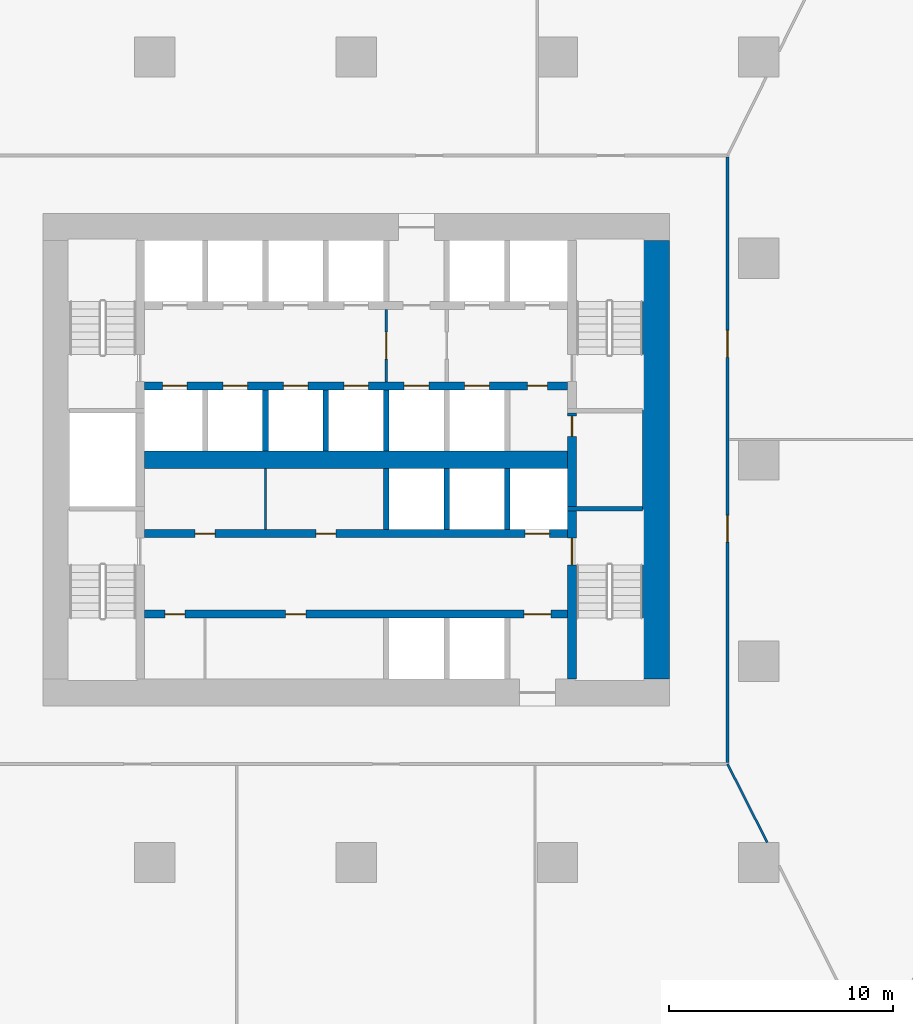
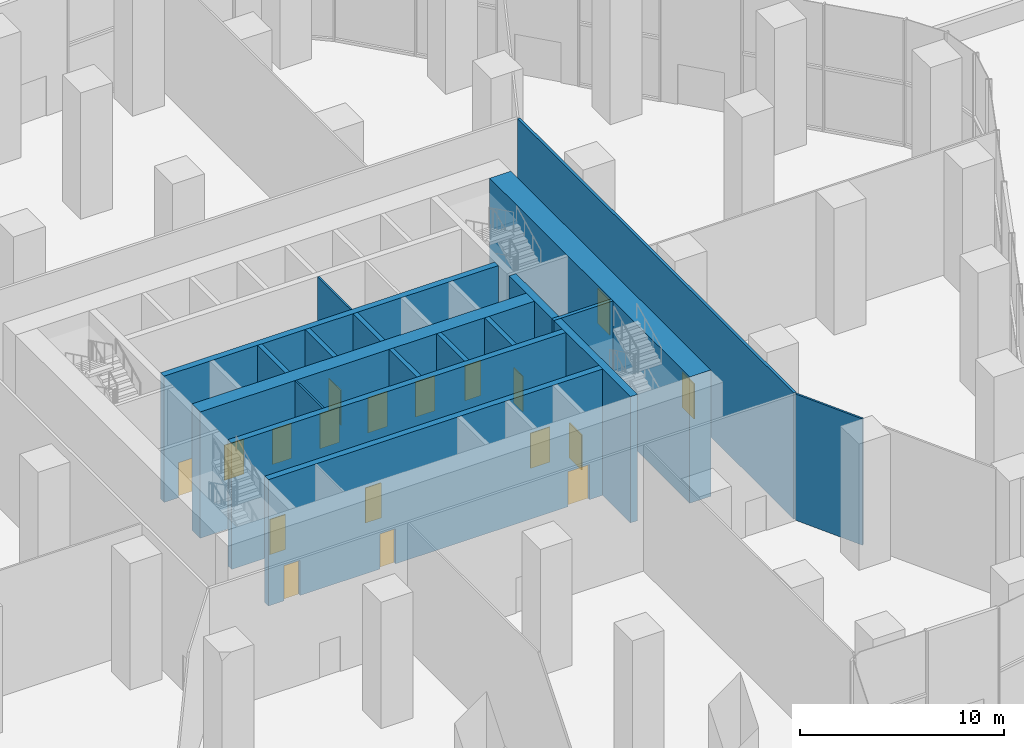
# One storey, part 15 of 22: 18 doors, 18 walls, 18 openings.
"""IFC4 building model written with IfcOpenShell, lengths in metres."""

from ifc_helpers import new_model, si_unit, direction, frame, frame_2d, origin, place, context, subcontext, project, spatial, rectangle, extrude, material, layer, layer_set, type_object, element, fill, save


model = new_model("IFC4")

# Units and contexts
model_context = context("Model", 3, precision=1e-05, world=origin(), true_north=direction((0.0, 1.0)))
body_context = subcontext(model_context, "Body", "Model", "MODEL_VIEW")
ifc_project = project(units=[si_unit("LENGTHUNIT", "METRE"), si_unit("AREAUNIT", "SQUARE_METRE"), si_unit("VOLUMEUNIT", "CUBIC_METRE"), si_unit("PLANEANGLEUNIT", "RADIAN"), si_unit("MASSUNIT", "GRAM", prefix="KILO")], contexts=[model_context])

# Site, building, storey
site_placement = place(None, origin())
site = spatial("IfcSite", under=ifc_project, at=site_placement, CompositionType="ELEMENT")
building_placement = place(site_placement, origin())
building = spatial("IfcBuilding", under=site, at=building_placement, Name="Dongbaek Canopy Tower", CompositionType="ELEMENT")
storey_placement = place(building_placement, frame((0.0, 0.0, 19.0)))
storey = spatial("IfcBuildingStorey", under=building, at=storey_placement, Name="L02", CompositionType="ELEMENT", Elevation=19.0)

# Wall
ifc_material_1 = material(Name="Concrete C60/75", Category="concrete")
ifc_layer_1 = layer(ifc_material_1, 0.800048828125)
ifc_layer_set_1 = layer_set([ifc_layer_1], Name="Core central wall 800 Concrete C60/75")
wall_type_1 = type_object("IfcWallType", Name="Core central wall 800 Concrete C60/75", PredefinedType="SHEAR", material=ifc_layer_set_1)
wall_1_placement = place(storey_placement, frame((-9.449951171875, 0.0, 0.0), z_axis=(0.0, 0.0, 1.0), x_axis=(1.0, 0.0, 0.0)))
element("IfcWall", 1, at=wall_1_placement, inside=storey, type_object=wall_type_1, Name="Core wall", PredefinedType="SHEAR", context=body_context, shape_type="SweptSolid", body=[
    extrude(rectangle(XDim=18.89990234375, YDim=0.800048828125, at=frame_2d((9.449951171875, 0.0))), origin(), (0.0, 0.0, 1.0), 7.550048828125),
])

# Wall, openings, doors
ifc_material_2 = material(Name="Concrete C60/75", Category="concrete")
ifc_layer_2 = layer(ifc_material_2, 0.35009765625)
ifc_layer_set_2 = layer_set([ifc_layer_2], Name="Core lobby wall 350 Concrete C60/75")
wall_type_2 = type_object("IfcWallType", Name="Core lobby wall 350 Concrete C60/75", PredefinedType="SHEAR", material=ifc_layer_set_2)
wall_2_placement = place(storey_placement, frame((9.449951171875, 3.300048828125, 0.0), z_axis=(0.0, 0.0, 1.0), x_axis=(-1.0, 0.0, 0.0)))
wall_2 = element("IfcWall", 2, at=wall_2_placement, inside=storey, type_object=wall_type_2, Name="Core wall", PredefinedType="SHEAR", context=body_context, shape_type="SweptSolid", body=[
    extrude(rectangle(XDim=18.89990234375, YDim=0.35009765625, at=frame_2d((9.449951171875, 0.0))), origin(), (0.0, 0.0, 1.0), 7.550048828125),
])
opening_1_placement = place(wall_2_placement, frame((17.0, 0.0, 0.0)))
opening_1 = element("IfcOpeningElement", 3, at=opening_1_placement, cuts=wall_2, Name="Opening L02-D020", PredefinedType="OPENING", context=body_context, shape_type="SweptSolid", body=[
    extrude(rectangle(XDim=1.10009765625, YDim=2.10009765625, at=frame_2d((0.550048828125, 1.050048828125))), frame((0.0, 0.18505859375, 0.0), z_axis=(0.0, -1.0, 0.0), x_axis=(1.0, 0.0, 0.0)), (0.0, 0.0, 1.0), 0.3701171875),
])
opening_2_placement = place(wall_2_placement, frame((14.300048828125, 0.0, 0.0)))
opening_2 = element("IfcOpeningElement", 4, at=opening_2_placement, cuts=wall_2, Name="Opening L02-D021", PredefinedType="OPENING", context=body_context, shape_type="SweptSolid", body=[
    extrude(rectangle(XDim=1.10009765625, YDim=2.10009765625, at=frame_2d((0.550048828125, 1.050048828125))), frame((0.0, 0.18505859375, 0.0), z_axis=(0.0, -1.0, 0.0), x_axis=(1.0, 0.0, 0.0)), (0.0, 0.0, 1.0), 0.3701171875),
])
opening_3_placement = place(wall_2_placement, frame((11.60009765625, 0.0, 0.0)))
opening_3 = element("IfcOpeningElement", 5, at=opening_3_placement, cuts=wall_2, Name="Opening L02-D022", PredefinedType="OPENING", context=body_context, shape_type="SweptSolid", body=[
    extrude(rectangle(XDim=1.10009765625, YDim=2.10009765625, at=frame_2d((0.550048828125, 1.050048828125))), frame((0.0, 0.18505859375, 0.0), z_axis=(0.0, -1.0, 0.0), x_axis=(1.0, 0.0, 0.0)), (0.0, 0.0, 1.0), 0.3701171875),
])
opening_4_placement = place(wall_2_placement, frame((8.89990234375, 0.0, 0.0)))
opening_4 = element("IfcOpeningElement", 6, at=opening_4_placement, cuts=wall_2, Name="Opening L02-D023", PredefinedType="OPENING", context=body_context, shape_type="SweptSolid", body=[
    extrude(rectangle(XDim=1.10009765625, YDim=2.10009765625, at=frame_2d((0.550048828125, 1.050048828125))), frame((0.0, 0.18505859375, 0.0), z_axis=(0.0, -1.0, 0.0), x_axis=(1.0, 0.0, 0.0)), (0.0, 0.0, 1.0), 0.3701171875),
])
opening_5_placement = place(wall_2_placement, frame((6.199951171875, 0.0, 0.0)))
opening_5 = element("IfcOpeningElement", 7, at=opening_5_placement, cuts=wall_2, Name="Opening L02-D024", PredefinedType="OPENING", context=body_context, shape_type="SweptSolid", body=[
    extrude(rectangle(XDim=1.10009765625, YDim=2.10009765625, at=frame_2d((0.550048828125, 1.050048828125))), frame((0.0, 0.18505859375, 0.0), z_axis=(0.0, -1.0, 0.0), x_axis=(1.0, 0.0, 0.0)), (0.0, 0.0, 1.0), 0.3701171875),
])
opening_6_placement = place(wall_2_placement, frame((3.5, 0.0, 0.0)))
opening_6 = element("IfcOpeningElement", 8, at=opening_6_placement, cuts=wall_2, Name="Opening L02-D025", PredefinedType="OPENING", context=body_context, shape_type="SweptSolid", body=[
    extrude(rectangle(XDim=1.10009765625, YDim=2.10009765625, at=frame_2d((0.550048828125, 1.050048828125))), frame((0.0, 0.18505859375, 0.0), z_axis=(0.0, -1.0, 0.0), x_axis=(1.0, 0.0, 0.0)), (0.0, 0.0, 1.0), 0.3701171875),
])
opening_7_placement = place(wall_2_placement, frame((0.89990234375, 0.0, 0.0)))
opening_7 = element("IfcOpeningElement", 9, at=opening_7_placement, cuts=wall_2, Name="Opening L02-D026", PredefinedType="OPENING", context=body_context, shape_type="SweptSolid", body=[
    extrude(rectangle(XDim=0.89990234375, YDim=2.10009765625, at=frame_2d((0.449951171875, 1.050048828125))), frame((0.0, 0.18505859375, 0.0), z_axis=(0.0, -1.0, 0.0), x_axis=(1.0, 0.0, 0.0)), (0.0, 0.0, 1.0), 0.3701171875),
])
ifc_material_3 = material(Name="Steel", Category="steel")
door_type_1 = type_object("IfcDoorType", Name="Core room door 900 x 2100", OperationType="SINGLE_SWING_LEFT", PredefinedType="DOOR", material=ifc_material_3)
door_1_placement = place(opening_7_placement, origin())
door_1 = element("IfcDoor", 10, at=door_1_placement, inside=storey, type_object=door_type_1, Name="Door L02-D026", OperationType="SINGLE_SWING_LEFT", OverallHeight=2.10009765625, OverallWidth=0.89990234375, PredefinedType="DOOR", context=body_context, shape_type="SweptSolid", body=[
    extrude(rectangle(XDim=0.89990234375, YDim=2.10009765625, at=frame_2d((0.449951171875, 1.050048828125))), frame((0.0, 0.02490234375, 0.0), z_axis=(0.0, -1.0, 0.0), x_axis=(1.0, 0.0, 0.0)), (0.0, 0.0, 1.0), 0.050048828125),
])
fill(opening_7, door_1)
ifc_material_4 = material(Name="Stainless steel", Category="steel")
door_type_2 = type_object("IfcDoorType", Name="Lift landing door 1100 x 2100", OperationType="DOUBLE_DOOR_SLIDING", PredefinedType="DOOR", material=ifc_material_4)
door_2_placement = place(opening_1_placement, origin())
door_2 = element("IfcDoor", 11, at=door_2_placement, inside=storey, type_object=door_type_2, Name="Landing door LR5", OperationType="DOUBLE_DOOR_SLIDING", OverallHeight=2.10009765625, OverallWidth=1.10009765625, PredefinedType="DOOR", context=body_context, shape_type="SweptSolid", body=[
    extrude(rectangle(XDim=1.10009765625, YDim=2.10009765625, at=frame_2d((0.550048828125, 1.050048828125))), frame((0.0, 0.02490234375, 0.0), z_axis=(0.0, -1.0, 0.0), x_axis=(1.0, 0.0, 0.0)), (0.0, 0.0, 1.0), 0.050048828125),
])
fill(opening_1, door_2)
door_3_placement = place(opening_2_placement, origin())
door_3 = element("IfcDoor", 12, at=door_3_placement, inside=storey, type_object=door_type_2, Name="Landing door LR6", OperationType="DOUBLE_DOOR_SLIDING", OverallHeight=2.10009765625, OverallWidth=1.10009765625, PredefinedType="DOOR", context=body_context, shape_type="SweptSolid", body=[
    extrude(rectangle(XDim=1.10009765625, YDim=2.10009765625, at=frame_2d((0.550048828125, 1.050048828125))), frame((0.0, 0.02490234375, 0.0), z_axis=(0.0, -1.0, 0.0), x_axis=(1.0, 0.0, 0.0)), (0.0, 0.0, 1.0), 0.050048828125),
])
fill(opening_2, door_3)
door_4_placement = place(opening_3_placement, origin())
door_4 = element("IfcDoor", 13, at=door_4_placement, inside=storey, type_object=door_type_2, Name="Landing door LR7", OperationType="DOUBLE_DOOR_SLIDING", OverallHeight=2.10009765625, OverallWidth=1.10009765625, PredefinedType="DOOR", context=body_context, shape_type="SweptSolid", body=[
    extrude(rectangle(XDim=1.10009765625, YDim=2.10009765625, at=frame_2d((0.550048828125, 1.050048828125))), frame((0.0, 0.02490234375, 0.0), z_axis=(0.0, -1.0, 0.0), x_axis=(1.0, 0.0, 0.0)), (0.0, 0.0, 1.0), 0.050048828125),
])
fill(opening_3, door_4)
door_5_placement = place(opening_4_placement, origin())
door_5 = element("IfcDoor", 14, at=door_5_placement, inside=storey, type_object=door_type_2, Name="Landing door LR8", OperationType="DOUBLE_DOOR_SLIDING", OverallHeight=2.10009765625, OverallWidth=1.10009765625, PredefinedType="DOOR", context=body_context, shape_type="SweptSolid", body=[
    extrude(rectangle(XDim=1.10009765625, YDim=2.10009765625, at=frame_2d((0.550048828125, 1.050048828125))), frame((0.0, 0.02490234375, 0.0), z_axis=(0.0, -1.0, 0.0), x_axis=(1.0, 0.0, 0.0)), (0.0, 0.0, 1.0), 0.050048828125),
])
fill(opening_4, door_5)
door_6_placement = place(opening_5_placement, origin())
door_6 = element("IfcDoor", 15, at=door_6_placement, inside=storey, type_object=door_type_2, Name="Landing door SV1", OperationType="DOUBLE_DOOR_SLIDING", OverallHeight=2.10009765625, OverallWidth=1.10009765625, PredefinedType="DOOR", context=body_context, shape_type="SweptSolid", body=[
    extrude(rectangle(XDim=1.10009765625, YDim=2.10009765625, at=frame_2d((0.550048828125, 1.050048828125))), frame((0.0, 0.02490234375, 0.0), z_axis=(0.0, -1.0, 0.0), x_axis=(1.0, 0.0, 0.0)), (0.0, 0.0, 1.0), 0.050048828125),
])
fill(opening_5, door_6)
door_7_placement = place(opening_6_placement, origin())
door_7 = element("IfcDoor", 16, at=door_7_placement, inside=storey, type_object=door_type_2, Name="Landing door FF3", OperationType="DOUBLE_DOOR_SLIDING", OverallHeight=2.10009765625, OverallWidth=1.10009765625, PredefinedType="DOOR", context=body_context, shape_type="SweptSolid", body=[
    extrude(rectangle(XDim=1.10009765625, YDim=2.10009765625, at=frame_2d((0.550048828125, 1.050048828125))), frame((0.0, 0.02490234375, 0.0), z_axis=(0.0, -1.0, 0.0), x_axis=(1.0, 0.0, 0.0)), (0.0, 0.0, 1.0), 0.050048828125),
])
fill(opening_6, door_7)

wall_3_placement = place(storey_placement, frame((-9.449951171875, -3.300048828125, 0.0), z_axis=(0.0, 0.0, 1.0), x_axis=(1.0, 0.0, 0.0)))
wall_3 = element("IfcWall", 17, at=wall_3_placement, inside=storey, type_object=wall_type_2, Name="Core wall", PredefinedType="SHEAR", context=body_context, shape_type="SweptSolid", body=[
    extrude(rectangle(XDim=18.89990234375, YDim=0.35009765625, at=frame_2d((9.449951171875, 0.0))), origin(), (0.0, 0.0, 1.0), 7.550048828125),
])
opening_8_placement = place(wall_3_placement, frame((17.0, 0.0, 0.0)))
opening_8 = element("IfcOpeningElement", 18, at=opening_8_placement, cuts=wall_3, Name="Opening L02-D027", PredefinedType="OPENING", context=body_context, shape_type="SweptSolid", body=[
    extrude(rectangle(XDim=1.10009765625, YDim=2.10009765625, at=frame_2d((0.550048828125, 1.050048828125))), frame((0.0, 0.18505859375, 0.0), z_axis=(0.0, -1.0, 0.0), x_axis=(1.0, 0.0, 0.0)), (0.0, 0.0, 1.0), 0.3701171875),
])
opening_9_placement = place(wall_3_placement, frame((2.25, 0.0, 0.0)))
opening_9 = element("IfcOpeningElement", 19, at=opening_9_placement, cuts=wall_3, Name="Opening L02-D030", PredefinedType="OPENING", context=body_context, shape_type="SweptSolid", body=[
    extrude(rectangle(XDim=0.89990234375, YDim=2.10009765625, at=frame_2d((0.449951171875, 1.050048828125))), frame((0.0, 0.18505859375, 0.0), z_axis=(0.0, -1.0, 0.0), x_axis=(1.0, 0.0, 0.0)), (0.0, 0.0, 1.0), 0.3701171875),
])
opening_10_placement = place(wall_3_placement, frame((7.64990234375, 0.0, 0.0)))
opening_10 = element("IfcOpeningElement", 20, at=opening_10_placement, cuts=wall_3, Name="Opening L02-D031", PredefinedType="OPENING", context=body_context, shape_type="SweptSolid", body=[
    extrude(rectangle(XDim=0.89990234375, YDim=2.10009765625, at=frame_2d((0.449951171875, 1.050048828125))), frame((0.0, 0.18505859375, 0.0), z_axis=(0.0, -1.0, 0.0), x_axis=(1.0, 0.0, 0.0)), (0.0, 0.0, 1.0), 0.3701171875),
])
door_8_placement = place(opening_9_placement, origin())
door_8 = element("IfcDoor", 21, at=door_8_placement, inside=storey, type_object=door_type_1, Name="Door L02-D030", OperationType="SINGLE_SWING_RIGHT", OverallHeight=2.10009765625, OverallWidth=0.89990234375, PredefinedType="DOOR", context=body_context, shape_type="SweptSolid", body=[
    extrude(rectangle(XDim=0.89990234375, YDim=2.10009765625, at=frame_2d((0.449951171875, 1.050048828125))), frame((0.0, 0.02490234375, 0.0), z_axis=(0.0, -1.0, 0.0), x_axis=(1.0, 0.0, 0.0)), (0.0, 0.0, 1.0), 0.050048828125),
])
fill(opening_9, door_8)
door_9_placement = place(opening_10_placement, origin())
door_9 = element("IfcDoor", 22, at=door_9_placement, inside=storey, type_object=door_type_1, Name="Door L02-D031", OperationType="SINGLE_SWING_LEFT", OverallHeight=2.10009765625, OverallWidth=0.89990234375, PredefinedType="DOOR", context=body_context, shape_type="SweptSolid", body=[
    extrude(rectangle(XDim=0.89990234375, YDim=2.10009765625, at=frame_2d((0.449951171875, 1.050048828125))), frame((0.0, 0.02490234375, 0.0), z_axis=(0.0, -1.0, 0.0), x_axis=(1.0, 0.0, 0.0)), (0.0, 0.0, 1.0), 0.050048828125),
])
fill(opening_10, door_9)
door_10_placement = place(opening_8_placement, origin())
door_10 = element("IfcDoor", 23, at=door_10_placement, inside=storey, type_object=door_type_2, Name="Landing door SV2", OperationType="DOUBLE_DOOR_SLIDING", OverallHeight=2.10009765625, OverallWidth=1.10009765625, PredefinedType="DOOR", context=body_context, shape_type="SweptSolid", body=[
    extrude(rectangle(XDim=1.10009765625, YDim=2.10009765625, at=frame_2d((0.550048828125, 1.050048828125))), frame((0.0, 0.02490234375, 0.0), z_axis=(0.0, -1.0, 0.0), x_axis=(1.0, 0.0, 0.0)), (0.0, 0.0, 1.0), 0.050048828125),
])
fill(opening_8, door_10)

wall_4_placement = place(storey_placement, frame((9.449951171875, -6.89990234375, 0.0), z_axis=(0.0, 0.0, 1.0), x_axis=(-1.0, 0.0, 0.0)))
wall_4 = element("IfcWall", 24, at=wall_4_placement, inside=storey, type_object=wall_type_2, Name="Core wall", PredefinedType="SHEAR", context=body_context, shape_type="SweptSolid", body=[
    extrude(rectangle(XDim=18.89990234375, YDim=0.35009765625, at=frame_2d((9.449951171875, 0.0))), origin(), (0.0, 0.0, 1.0), 7.550048828125),
])
opening_11_placement = place(wall_4_placement, frame((0.75, 0.0, 0.0)))
opening_11 = element("IfcOpeningElement", 25, at=opening_11_placement, cuts=wall_4, Name="Opening L02-D029", PredefinedType="OPENING", context=body_context, shape_type="SweptSolid", body=[
    extrude(rectangle(XDim=1.199951171875, YDim=2.10009765625, at=frame_2d((0.60009765625, 1.050048828125))), frame((0.0, 0.18505859375, 0.0), z_axis=(0.0, -1.0, 0.0), x_axis=(1.0, 0.0, 0.0)), (0.0, 0.0, 1.0), 0.3701171875),
])
opening_12_placement = place(wall_4_placement, frame((17.10009765625, 0.0, 0.0)))
opening_12 = element("IfcOpeningElement", 26, at=opening_12_placement, cuts=wall_4, Name="Opening L02-D032", PredefinedType="OPENING", context=body_context, shape_type="SweptSolid", body=[
    extrude(rectangle(XDim=0.89990234375, YDim=2.10009765625, at=frame_2d((0.449951171875, 1.050048828125))), frame((0.0, 0.18505859375, 0.0), z_axis=(0.0, -1.0, 0.0), x_axis=(1.0, 0.0, 0.0)), (0.0, 0.0, 1.0), 0.3701171875),
])
opening_13_placement = place(wall_4_placement, frame((11.699951171875, 0.0, 0.0)))
opening_13 = element("IfcOpeningElement", 27, at=opening_13_placement, cuts=wall_4, Name="Opening L02-D033", PredefinedType="OPENING", context=body_context, shape_type="SweptSolid", body=[
    extrude(rectangle(XDim=0.89990234375, YDim=2.10009765625, at=frame_2d((0.449951171875, 1.050048828125))), frame((0.0, 0.18505859375, 0.0), z_axis=(0.0, -1.0, 0.0), x_axis=(1.0, 0.0, 0.0)), (0.0, 0.0, 1.0), 0.3701171875),
])
door_11_placement = place(opening_12_placement, origin())
door_11 = element("IfcDoor", 28, at=door_11_placement, inside=storey, type_object=door_type_1, Name="Door L02-D032", OperationType="SINGLE_SWING_RIGHT", OverallHeight=2.10009765625, OverallWidth=0.89990234375, PredefinedType="DOOR", context=body_context, shape_type="SweptSolid", body=[
    extrude(rectangle(XDim=0.89990234375, YDim=2.10009765625, at=frame_2d((0.449951171875, 1.050048828125))), frame((0.0, 0.02490234375, 0.0), z_axis=(0.0, -1.0, 0.0), x_axis=(1.0, 0.0, 0.0)), (0.0, 0.0, 1.0), 0.050048828125),
])
fill(opening_12, door_11)
door_12_placement = place(opening_13_placement, origin())
door_12 = element("IfcDoor", 29, at=door_12_placement, inside=storey, type_object=door_type_1, Name="Door L02-D033", OperationType="SINGLE_SWING_LEFT", OverallHeight=2.10009765625, OverallWidth=0.89990234375, PredefinedType="DOOR", context=body_context, shape_type="SweptSolid", body=[
    extrude(rectangle(XDim=0.89990234375, YDim=2.10009765625, at=frame_2d((0.449951171875, 1.050048828125))), frame((0.0, 0.02490234375, 0.0), z_axis=(0.0, -1.0, 0.0), x_axis=(1.0, 0.0, 0.0)), (0.0, 0.0, 1.0), 0.050048828125),
])
fill(opening_13, door_12)
ifc_material_5 = material(Name="Steel", Category="steel")
door_type_3 = type_object("IfcDoorType", Name="Fire lobby door 1200 x 2100", OperationType="SINGLE_SWING_LEFT", PredefinedType="DOOR", material=ifc_material_5)
door_13_placement = place(opening_11_placement, origin())
door_13 = element("IfcDoor", 30, at=door_13_placement, inside=storey, type_object=door_type_3, Name="Door L02-D029", OperationType="SINGLE_SWING_LEFT", OverallHeight=2.10009765625, OverallWidth=1.199951171875, PredefinedType="DOOR", context=body_context, shape_type="SweptSolid", body=[
    extrude(rectangle(XDim=1.199951171875, YDim=2.10009765625, at=frame_2d((0.60009765625, 1.050048828125))), frame((0.0, 0.02490234375, 0.0), z_axis=(0.0, -1.0, 0.0), x_axis=(1.0, 0.0, 0.0)), (0.0, 0.0, 1.0), 0.050048828125),
])
fill(opening_11, door_13)

# Wall
ifc_material_6 = material(Name="Concrete C60/75", Category="concrete")
ifc_layer_3 = layer(ifc_material_6, 1.199951171875)
ifc_layer_set_3 = layer_set([ifc_layer_3], Name="Core outer wall 1200 Concrete C60/75")
wall_type_3 = type_object("IfcWallType", Name="Core outer wall 1200 Concrete C60/75", PredefinedType="SHEAR", material=ifc_layer_set_3)
wall_5_placement = place(storey_placement, frame((13.39990234375, 9.800048828125, 0.0), z_axis=(0.0, 0.0, 1.0), x_axis=(0.0, -1.0, 0.0)))
element("IfcWall", 31, at=wall_5_placement, inside=storey, type_object=wall_type_3, Name="Core wall", PredefinedType="SHEAR", context=body_context, shape_type="SweptSolid", body=[
    extrude(rectangle(XDim=19.60009765625, YDim=1.199951171875, at=frame_2d((9.800048828125, 0.0))), origin(), (0.0, 0.0, 1.0), 7.550048828125),
])

# Wall, openings, doors
ifc_material_7 = material(Name="Gypsum board partition, steel stud, 2 x 15 mm fire board", Category="steel")
ifc_layer_4 = layer(ifc_material_7, 0.14990234375)
ifc_layer_set_4 = layer_set([ifc_layer_4], Name="Fire-rated partition 150 gypsum board")
wall_type_4 = type_object("IfcWallType", Name="Fire-rated partition 150 gypsum board", PredefinedType="PARTITIONING", material=ifc_layer_set_4)
wall_6_placement = place(storey_placement, frame((16.60009765625, 13.52490234375, 0.0), z_axis=(0.0, 0.0, 1.0), x_axis=(0.0, -1.0, 0.0)))
wall_6 = element("IfcWall", 32, at=wall_6_placement, inside=storey, type_object=wall_type_4, Name="Corridor partition", PredefinedType="PARTITIONING", context=body_context, shape_type="SweptSolid", body=[
    extrude(rectangle(XDim=27.0498046875, YDim=0.14990234375, at=frame_2d((13.52490234375, 0.0))), origin(), (0.0, 0.0, 1.0), 7.550048828125),
])
opening_14_placement = place(wall_6_placement, frame((16.005615234375, 0.0, 0.0)))
opening_14 = element("IfcOpeningElement", 33, at=opening_14_placement, cuts=wall_6, Name="Opening L02-D006", PredefinedType="OPENING", context=body_context, shape_type="SweptSolid", body=[
    extrude(rectangle(XDim=1.199951171875, YDim=2.10009765625, at=frame_2d((0.60009765625, 1.050048828125))), frame((0.0, 0.0849609375, 0.0), z_axis=(0.0, -1.0, 0.0), x_axis=(1.0, 0.0, 0.0)), (0.0, 0.0, 1.0), 0.169921875),
])
opening_15_placement = place(wall_6_placement, frame((7.745361328125, 0.0, 0.0)))
opening_15 = element("IfcOpeningElement", 34, at=opening_15_placement, cuts=wall_6, Name="Opening L02-D007", PredefinedType="OPENING", context=body_context, shape_type="SweptSolid", body=[
    extrude(rectangle(XDim=1.199951171875, YDim=2.10009765625, at=frame_2d((0.60009765625, 1.050048828125))), frame((0.0, 0.0849609375, 0.0), z_axis=(0.0, -1.0, 0.0), x_axis=(1.0, 0.0, 0.0)), (0.0, 0.0, 1.0), 0.169921875),
])
ifc_material_8 = material(Name="Timber veneered door leaf", Category="wood")
door_type_4 = type_object("IfcDoorType", Name="Room door 1200 x 2100", OperationType="SINGLE_SWING_LEFT", PredefinedType="DOOR", material=ifc_material_8)
door_14_placement = place(opening_14_placement, origin())
door_14 = element("IfcDoor", 35, at=door_14_placement, inside=storey, type_object=door_type_4, Name="Door L02-D006", OperationType="SINGLE_SWING_LEFT", OverallHeight=2.10009765625, OverallWidth=1.199951171875, PredefinedType="DOOR", context=body_context, shape_type="SweptSolid", body=[
    extrude(rectangle(XDim=1.199951171875, YDim=2.10009765625, at=frame_2d((0.60009765625, 1.050048828125))), frame((0.0, 0.02490234375, 0.0), z_axis=(0.0, -1.0, 0.0), x_axis=(1.0, 0.0, 0.0)), (0.0, 0.0, 1.0), 0.050048828125),
])
fill(opening_14, door_14)
door_15_placement = place(opening_15_placement, origin())
door_15 = element("IfcDoor", 36, at=door_15_placement, inside=storey, type_object=door_type_4, Name="Door L02-D007", OperationType="SINGLE_SWING_RIGHT", OverallHeight=2.10009765625, OverallWidth=1.199951171875, PredefinedType="DOOR", context=body_context, shape_type="SweptSolid", body=[
    extrude(rectangle(XDim=1.199951171875, YDim=2.10009765625, at=frame_2d((0.60009765625, 1.050048828125))), frame((0.0, 0.02490234375, 0.0), z_axis=(0.0, -1.0, 0.0), x_axis=(1.0, 0.0, 0.0)), (0.0, 0.0, 1.0), 0.050048828125),
])
fill(opening_15, door_15)

# Walls
ifc_material_9 = material(Name="Concrete C40/50", Category="concrete")
ifc_layer_5 = layer(ifc_material_9, 0.25)
ifc_layer_set_5 = layer_set([ifc_layer_5], Name="Lift shaft wall 250 Concrete C40/50")
wall_type_5 = type_object("IfcWallType", Name="Lift shaft wall 250 Concrete C40/50", PredefinedType="SOLIDWALL", material=ifc_layer_set_5)
for number, where, z_axis, x_axis, name in (
    (37, (6.75, -3.125, 0.0), (0.0, 0.0, 1.0), (0.0, 1.0, 0.0), "Lift shaft wall"),
    (38, (4.050048828125, -3.125, 0.0), (0.0, 0.0, 1.0), (0.0, 1.0, 0.0), "Lift shaft wall"),
    (39, (1.35009765625, -3.125, 0.0), (0.0, 0.0, 1.0), (0.0, 1.0, 0.0), "Lift shaft wall"),
    (40, (1.35009765625, 0.39990234375, 0.0), (0.0, 0.0, 1.0), (0.0, 1.0, 0.0), "Lift shaft wall"),
    (41, (-1.35009765625, 0.39990234375, 0.0), (0.0, 0.0, 1.0), (0.0, 1.0, 0.0), "Lift shaft wall"),
    (42, (-4.050048828125, 0.39990234375, 0.0), (0.0, 0.0, 1.0), (0.0, 1.0, 0.0), "Lift shaft wall"),
):
    element("IfcWall", number, at=place(storey_placement, frame(where, z_axis=z_axis, x_axis=x_axis)), inside=storey, type_object=wall_type_5, Name=name, PredefinedType="SOLIDWALL", context=body_context, shape_type="SweptSolid", body=[
        extrude(rectangle(XDim=2.72509765625, YDim=0.25, at=frame_2d((1.362548828125, 0.0))), origin(), (0.0, 0.0, 1.0), 7.550048828125),
    ])
ifc_material_10 = material(Name="Gypsum board partition, steel stud, 2 x 12.5 mm board", Category="steel")
ifc_layer_6 = layer(ifc_material_10, 0.10009765625)
ifc_layer_set_6 = layer_set([ifc_layer_6], Name="Partition 100 gypsum board")
wall_type_6 = type_object("IfcWallType", Name="Partition 100 gypsum board", PredefinedType="PARTITIONING", material=ifc_layer_set_6)
wall_7_placement = place(storey_placement, frame((16.60009765625, -13.599853515625, 0.0), z_axis=(0.0, 0.0, 1.0), x_axis=(0.451663698234, -0.892188266958, 0.0)))
element("IfcWall", 43, at=wall_7_placement, inside=storey, type_object=wall_type_6, Name="Partition", PredefinedType="PARTITIONING", context=body_context, shape_type="SweptSolid", body=[
    extrude(rectangle(XDim=3.923095703125, YDim=0.10009765625, at=frame_2d((1.96142578125, 0.0))), origin(), (0.0, 0.0, 1.0), 7.550048828125),
])

# Wall, opening, door
wall_8_placement = place(storey_placement, frame((1.35009765625, 6.72509765625, 0.0), z_axis=(0.0, 0.0, 1.0), x_axis=(0.0, -1.0, 0.0)))
wall_8 = element("IfcWall", 44, at=wall_8_placement, inside=storey, type_object=wall_type_6, Name="Core partition", PredefinedType="PARTITIONING", context=body_context, shape_type="SweptSolid", body=[
    extrude(rectangle(XDim=3.25, YDim=0.10009765625, at=frame_2d((1.625, 0.0))), origin(), (0.0, 0.0, 1.0), 7.550048828125),
])
opening_16_placement = place(wall_8_placement, frame((1.02490234375, 0.0, 0.0)))
opening_16 = element("IfcOpeningElement", 45, at=opening_16_placement, cuts=wall_8, Name="Opening L02-D038", PredefinedType="OPENING", context=body_context, shape_type="SweptSolid", body=[
    extrude(rectangle(XDim=1.199951171875, YDim=2.10009765625, at=frame_2d((0.60009765625, 1.050048828125))), frame((0.0, 0.06005859375, 0.0), z_axis=(0.0, -1.0, 0.0), x_axis=(1.0, 0.0, 0.0)), (0.0, 0.0, 1.0), 0.1201171875),
])
door_16_placement = place(opening_16_placement, origin())
door_16 = element("IfcDoor", 46, at=door_16_placement, inside=storey, type_object=door_type_3, Name="Door L02-D038", OperationType="SINGLE_SWING_LEFT", OverallHeight=2.10009765625, OverallWidth=1.199951171875, PredefinedType="DOOR", context=body_context, shape_type="SweptSolid", body=[
    extrude(rectangle(XDim=1.199951171875, YDim=2.10009765625, at=frame_2d((0.60009765625, 1.050048828125))), frame((0.0, 0.02490234375, 0.0), z_axis=(0.0, -1.0, 0.0), x_axis=(1.0, 0.0, 0.0)), (0.0, 0.0, 1.0), 0.050048828125),
])
fill(opening_16, door_16)

# Walls
wall_9_placement = place(storey_placement, frame((-4.050048828125, -3.125, 0.0), z_axis=(0.0, 0.0, 1.0), x_axis=(0.0, 1.0, 0.0)))
element("IfcWall", 47, at=wall_9_placement, inside=storey, type_object=wall_type_6, Name="Core partition", PredefinedType="PARTITIONING", context=body_context, shape_type="SweptSolid", body=[
    extrude(rectangle(XDim=2.72509765625, YDim=0.10009765625, at=frame_2d((1.362548828125, 0.0))), origin(), (0.0, 0.0, 1.0), 7.550048828125),
])
ifc_material_11 = material(Name="Concrete C60/75", Category="concrete")
ifc_layer_7 = layer(ifc_material_11, 0.199951171875)
ifc_layer_set_7 = layer_set([ifc_layer_7], Name="Riser wall 200 Concrete C60/75")
wall_type_7 = type_object("IfcWallType", Name="Riser wall 200 Concrete C60/75", PredefinedType="SHEAR", material=ifc_layer_set_7)
wall_10_placement = place(storey_placement, frame((9.449951171875, -2.199951171875, 0.0), z_axis=(0.0, 0.0, 1.0), x_axis=(1.0, 0.0, 0.0)))
element("IfcWall", 48, at=wall_10_placement, inside=storey, type_object=wall_type_7, Name="Riser wall", PredefinedType="SHEAR", context=body_context, shape_type="SweptSolid", body=[
    extrude(rectangle(XDim=3.35009765625, YDim=0.199951171875, at=frame_2d((1.675048828125, 0.0))), origin(), (0.0, 0.0, 1.0), 7.550048828125),
])

# Wall, opening, door
ifc_material_12 = material(Name="Concrete C60/75", Category="concrete")
ifc_layer_8 = layer(ifc_material_12, 0.39990234375)
ifc_layer_set_8 = layer_set([ifc_layer_8], Name="Stair wall 400 Concrete C60/75")
wall_type_8 = type_object("IfcWallType", Name="Stair wall 400 Concrete C60/75", PredefinedType="SHEAR", material=ifc_layer_set_8)
wall_11_placement = place(storey_placement, frame((9.64990234375, -2.300048828125, 0.0), z_axis=(0.0, 0.0, 1.0), x_axis=(0.0, -1.0, 0.0)))
wall_11 = element("IfcWall", 49, at=wall_11_placement, inside=storey, type_object=wall_type_8, Name="Stair wall", PredefinedType="SHEAR", context=body_context, shape_type="SweptSolid", body=[
    extrude(rectangle(XDim=7.5, YDim=0.39990234375, at=frame_2d((3.75, 0.0))), origin(), (0.0, 0.0, 1.0), 7.550048828125),
])
opening_17_placement = place(wall_11_placement, frame((1.199951171875, 0.0, 0.0)))
opening_17 = element("IfcOpeningElement", 50, at=opening_17_placement, cuts=wall_11, Name="Opening L02-D036", PredefinedType="OPENING", context=body_context, shape_type="SweptSolid", body=[
    extrude(rectangle(XDim=1.199951171875, YDim=2.10009765625, at=frame_2d((0.60009765625, 1.050048828125))), frame((0.0, 0.2099609375, 0.0), z_axis=(0.0, -1.0, 0.0), x_axis=(1.0, 0.0, 0.0)), (0.0, 0.0, 1.0), 0.419921875),
])
ifc_material_13 = material(Name="Steel", Category="steel")
door_type_5 = type_object("IfcDoorType", Name="Stair door 1200 x 2100", OperationType="SINGLE_SWING_LEFT", PredefinedType="DOOR", material=ifc_material_13)
door_17_placement = place(opening_17_placement, origin())
door_17 = element("IfcDoor", 51, at=door_17_placement, inside=storey, type_object=door_type_5, Name="Stair B door", OperationType="SINGLE_SWING_RIGHT", OverallHeight=2.10009765625, OverallWidth=1.199951171875, PredefinedType="DOOR", context=body_context, shape_type="SweptSolid", body=[
    extrude(rectangle(XDim=1.199951171875, YDim=2.10009765625, at=frame_2d((0.60009765625, 1.050048828125))), frame((0.0, 0.02490234375, 0.0), z_axis=(0.0, -1.0, 0.0), x_axis=(1.0, 0.0, 0.0)), (0.0, 0.0, 1.0), 0.050048828125),
])
fill(opening_17, door_17)

wall_12_placement = place(storey_placement, frame((9.64990234375, 2.10009765625, 0.0), z_axis=(0.0, 0.0, 1.0), x_axis=(0.0, -1.0, 0.0)))
wall_12 = element("IfcWall", 52, at=wall_12_placement, inside=storey, type_object=wall_type_8, Name="Stair wall", PredefinedType="SHEAR", context=body_context, shape_type="SweptSolid", body=[
    extrude(rectangle(XDim=4.2001953125, YDim=0.39990234375, at=frame_2d((2.10009765625, 0.0))), origin(), (0.0, 0.0, 1.0), 7.550048828125),
])
opening_18_placement = place(wall_12_placement, frame((0.14990234375, 0.0, 0.0)))
opening_18 = element("IfcOpeningElement", 53, at=opening_18_placement, cuts=wall_12, Name="Opening L02-D011", PredefinedType="OPENING", context=body_context, shape_type="SweptSolid", body=[
    extrude(rectangle(XDim=0.89990234375, YDim=2.10009765625, at=frame_2d((0.449951171875, 1.050048828125))), frame((0.0, 0.2099609375, 0.0), z_axis=(0.0, -1.0, 0.0), x_axis=(1.0, 0.0, 0.0)), (0.0, 0.0, 1.0), 0.419921875),
])
door_18_placement = place(opening_18_placement, origin())
door_18 = element("IfcDoor", 54, at=door_18_placement, inside=storey, type_object=door_type_1, Name="Door L02-D011", OperationType="SINGLE_SWING_RIGHT", OverallHeight=2.10009765625, OverallWidth=0.89990234375, PredefinedType="DOOR", context=body_context, shape_type="SweptSolid", body=[
    extrude(rectangle(XDim=0.89990234375, YDim=2.10009765625, at=frame_2d((0.449951171875, 1.050048828125))), frame((0.0, 0.02490234375, 0.0), z_axis=(0.0, -1.0, 0.0), x_axis=(1.0, 0.0, 0.0)), (0.0, 0.0, 1.0), 0.050048828125),
])
fill(opening_18, door_18)

save(model, "model.ifc")
